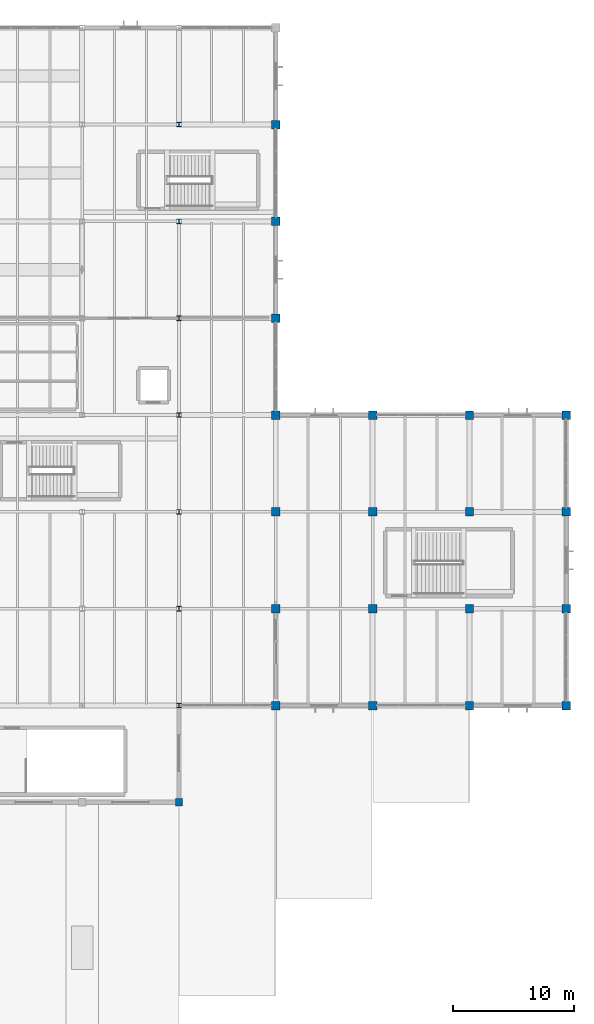
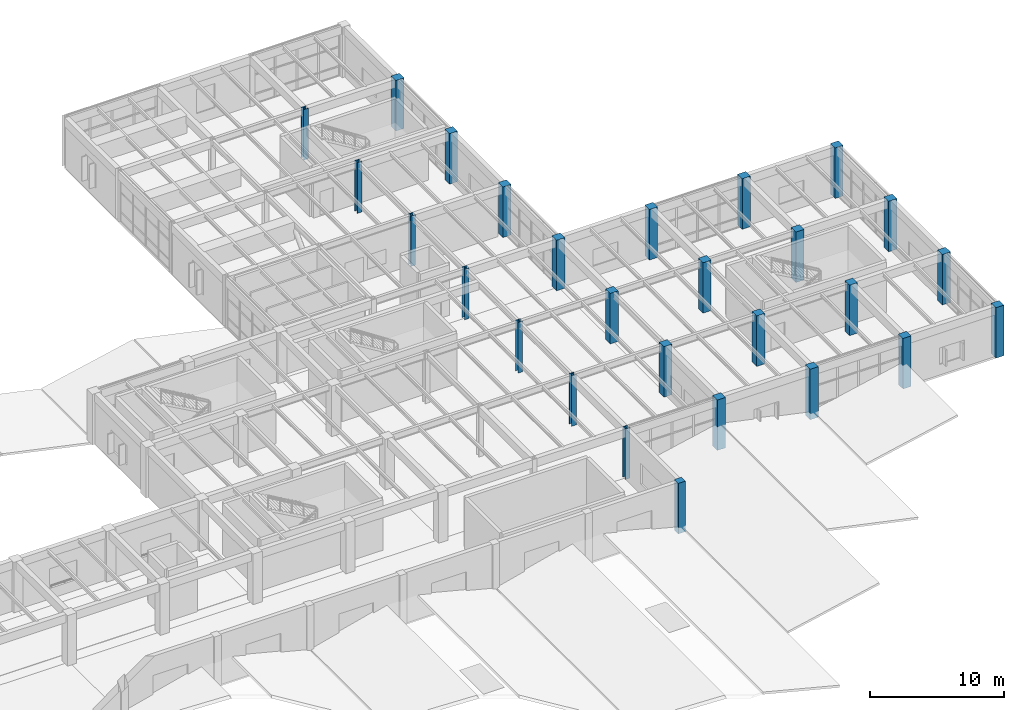
# One storey, part 7 of 60: 27 columns.
"""IFC4 building model written with IfcOpenShell, lengths in metres."""

from ifc_helpers import new_model, si_unit, direction, frame, origin, origin_2d, place, context, subcontext, project, spatial, rectangle, i_section, extrude, material, material_profile, profile_set, type_object, element, save


model = new_model("IFC4")

# Units and contexts
model_context = context("Model", 3, precision=1e-05, world=origin(), true_north=direction((0.0, 1.0)))
body_context = subcontext(model_context, "Body", "Model", "MODEL_VIEW")
ifc_project = project(units=[si_unit("LENGTHUNIT", "METRE"), si_unit("AREAUNIT", "SQUARE_METRE"), si_unit("VOLUMEUNIT", "CUBIC_METRE"), si_unit("PLANEANGLEUNIT", "RADIAN"), si_unit("MASSUNIT", "GRAM", prefix="KILO")], contexts=[model_context])

# Site, building, storey
site_placement = place(None, origin())
site = spatial("IfcSite", under=ifc_project, at=site_placement, CompositionType="ELEMENT")
building_placement = place(site_placement, origin())
building = spatial("IfcBuilding", under=site, at=building_placement, Name="Varnela Railside Interchange", CompositionType="ELEMENT")
storey_placement = place(building_placement, frame((0.0, 0.0, 6.300048828125)))
storey = spatial("IfcBuildingStorey", under=building, at=storey_placement, Name="L01", CompositionType="ELEMENT", Elevation=6.300048828125)

# Columns
ifc_material_1 = material(Name="Concrete C50", Category="concrete")
ifc_material_profile_1 = material_profile(ifc_material_1, rectangle(XDim=0.699951171875, YDim=0.699951171875, at=origin_2d()), Name="RC 700x700")
ifc_profile_set_1 = profile_set([ifc_material_profile_1], Name="Concrete C50")
column_type_1 = type_object("IfcColumnType", Name="Podium Gallery Column C-02", PredefinedType="COLUMN", material=ifc_profile_set_1)
for number, where, z_axis, x_axis, name in (
    (1, (140.0, 38.0, 0.0), (0.0, 0.0, 1.0), (1.0, 0.0, 0.0), "Column C-02 (L01) (CL-0621)"),
    (2, (140.0, 46.0, 0.0), (0.0, 0.0, 1.0), (1.0, 0.0, 0.0), "Column C-02 (L01) (CL-0622)"),
    (3, (140.0, 54.0, 0.0), (0.0, 0.0, 1.0), (1.0, 0.0, 0.0), "Column C-02 (L01) (CL-0623)"),
    (4, (140.0, 62.0, 0.0), (0.0, 0.0, 1.0), (1.0, 0.0, 0.0), "Column C-02 (L01) (CL-0624)"),
    (5, (140.0, 70.0, 0.0), (0.0, 0.0, 1.0), (1.0, 0.0, 0.0), "Column C-02 (L01) (CL-0625)"),
    (6, (140.0, 78.0, 0.0), (0.0, 0.0, 1.0), (1.0, 0.0, 0.0), "Column C-02 (L01) (CL-0626)"),
    (7, (140.0, 86.0, 0.0), (0.0, 0.0, 1.0), (1.0, 0.0, 0.0), "Column C-02 (L01) (CL-0627)"),
    (8, (148.0, 38.0, 0.0), (0.0, 0.0, 1.0), (1.0, 0.0, 0.0), "Column C-02 (L01) (CL-0629)"),
    (9, (148.0, 46.0, 0.0), (0.0, 0.0, 1.0), (1.0, 0.0, 0.0), "Column C-02 (L01) (CL-0630)"),
    (10, (148.0, 54.0, 0.0), (0.0, 0.0, 1.0), (1.0, 0.0, 0.0), "Column C-02 (L01) (CL-0631)"),
    (11, (148.0, 62.0, 0.0), (0.0, 0.0, 1.0), (1.0, 0.0, 0.0), "Column C-02 (L01) (CL-0632)"),
    (12, (156.0, 38.0, 0.0), (0.0, 0.0, 1.0), (1.0, 0.0, 0.0), "Column C-02 (L01) (CL-0641)"),
    (13, (156.0, 46.0, 0.0), (0.0, 0.0, 1.0), (1.0, 0.0, 0.0), "Column C-02 (L01) (CL-0642)"),
    (14, (156.0, 54.0, 0.0), (0.0, 0.0, 1.0), (1.0, 0.0, 0.0), "Column C-02 (L01) (CL-0643)"),
    (15, (156.0, 62.0, 0.0), (0.0, 0.0, 1.0), (1.0, 0.0, 0.0), "Column C-02 (L01) (CL-0644)"),
    (16, (164.0, 38.0, 0.0), (0.0, 0.0, 1.0), (1.0, 0.0, 0.0), "Column C-02 (L01) (CL-0645)"),
    (17, (164.0, 46.0, 0.0), (0.0, 0.0, 1.0), (1.0, 0.0, 0.0), "Column C-02 (L01) (CL-0646)"),
    (18, (164.0, 54.0, 0.0), (0.0, 0.0, 1.0), (1.0, 0.0, 0.0), "Column C-02 (L01) (CL-0647)"),
    (19, (164.0, 62.0, 0.0), (0.0, 0.0, 1.0), (1.0, 0.0, 0.0), "Column C-02 (L01) (CL-0648)"),
):
    element("IfcColumn", number, at=place(storey_placement, frame(where, z_axis=z_axis, x_axis=x_axis)), inside=storey, type_object=column_type_1, Name=name, PredefinedType="COLUMN", context=body_context, shape_type="SweptSolid", body=[
        extrude(rectangle(XDim=0.699951171875, YDim=0.699951171875, at=origin_2d()), origin(), (0.0, 0.0, 1.0), 4.599853515625),
    ])
ifc_material_profile_2 = material_profile(ifc_material_1, rectangle(XDim=0.60009765625, YDim=0.60009765625, at=origin_2d()), Name="RC 600x600")
ifc_profile_set_2 = profile_set([ifc_material_profile_2], Name="Concrete C50")
column_type_2 = type_object("IfcColumnType", Name="Podium Mezzanine Column C-01", PredefinedType="COLUMN", material=ifc_profile_set_2)
column_placement = place(storey_placement, frame((132.0, 30.0, 0.0), z_axis=(0.0, 0.0, 1.0), x_axis=(1.0, 0.0, 0.0)))
element("IfcColumn", 20, at=column_placement, inside=storey, type_object=column_type_2, Name="Column C-01 (L01) (CL-0612)", PredefinedType="COLUMN", context=body_context, shape_type="SweptSolid", body=[
    extrude(rectangle(XDim=0.60009765625, YDim=0.60009765625, at=origin_2d()), origin(), (0.0, 0.0, 1.0), 4.599853515625),
])
ifc_material_2 = material(Name="Steel AR 350 (350 MPa)", Category="steel")
ifc_material_profile_3 = material_profile(ifc_material_2, i_section(OverallWidth=0.39794921875, OverallDepth=0.386962890625, WebThickness=0.02099609375, FlangeThickness=0.033203125, at=origin_2d()), Name="W360x262")
ifc_profile_set_3 = profile_set([ifc_material_profile_3], Name="Steel AR 350 (350 MPa)")
column_type_3 = type_object("IfcColumnType", Name="Superstructure Steel Col C-16", PredefinedType="COLUMN", material=ifc_profile_set_3)
for number, where, z_axis, x_axis, name in (
    (21, (132.0, 38.0, 0.0), (0.0, 0.0, 1.0), (1.0, 0.0, 0.0), "Column C-16 (L01) (CL-0613)"),
    (22, (132.0, 46.0, 0.0), (0.0, 0.0, 1.0), (1.0, 0.0, 0.0), "Column C-16 (L01) (CL-0614)"),
    (23, (132.0, 54.0, 0.0), (0.0, 0.0, 1.0), (1.0, 0.0, 0.0), "Column C-16 (L01) (CL-0615)"),
    (24, (132.0, 62.0, 0.0), (0.0, 0.0, 1.0), (1.0, 0.0, 0.0), "Column C-16 (L01) (CL-0616)"),
    (25, (132.0, 70.0, 0.0), (0.0, 0.0, 1.0), (1.0, 0.0, 0.0), "Column C-16 (L01) (CL-0617)"),
    (26, (132.0, 78.0, 0.0), (0.0, 0.0, 1.0), (1.0, 0.0, 0.0), "Column C-16 (L01) (CL-0618)"),
    (27, (132.0, 86.0, 0.0), (0.0, 0.0, 1.0), (1.0, 0.0, 0.0), "Column C-16 (L01) (CL-0619)"),
):
    element("IfcColumn", number, at=place(storey_placement, frame(where, z_axis=z_axis, x_axis=x_axis)), inside=storey, type_object=column_type_3, Name=name, PredefinedType="COLUMN", context=body_context, shape_type="SweptSolid", body=[
        extrude(i_section(OverallWidth=0.39794921875, OverallDepth=0.386962890625, WebThickness=0.02099609375, FlangeThickness=0.033203125, at=origin_2d()), origin(), (0.0, 0.0, 1.0), 4.599853515625),
    ])

save(model, "model.ifc")
